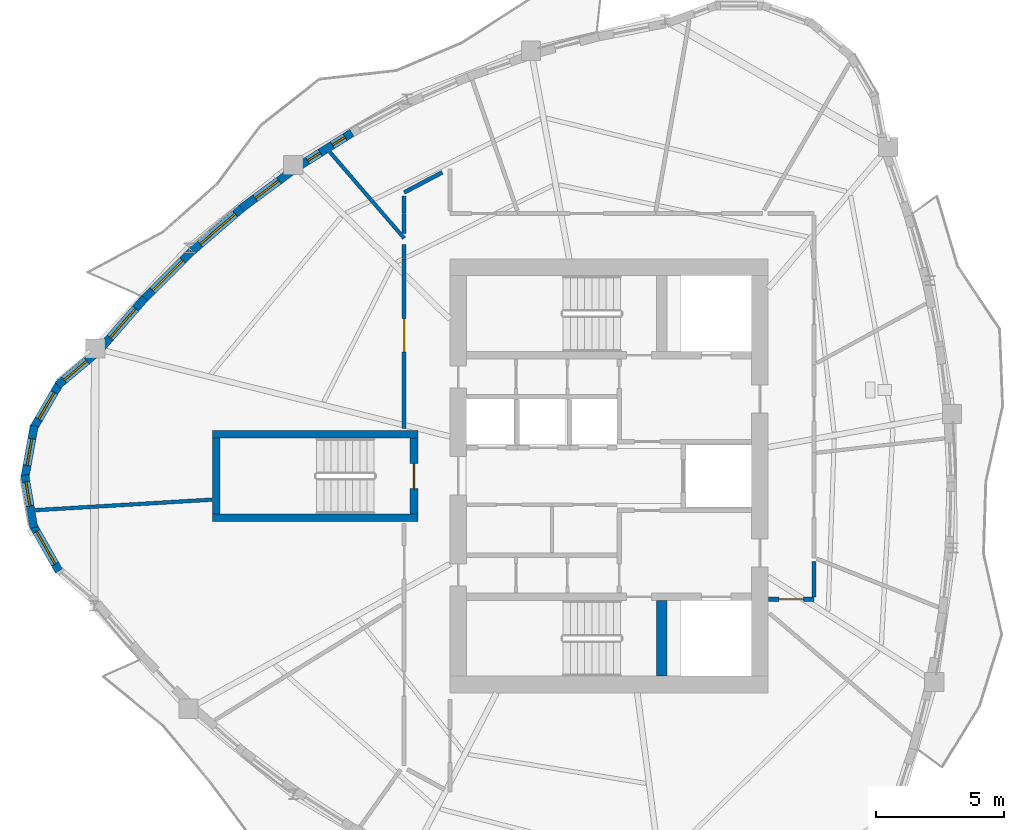
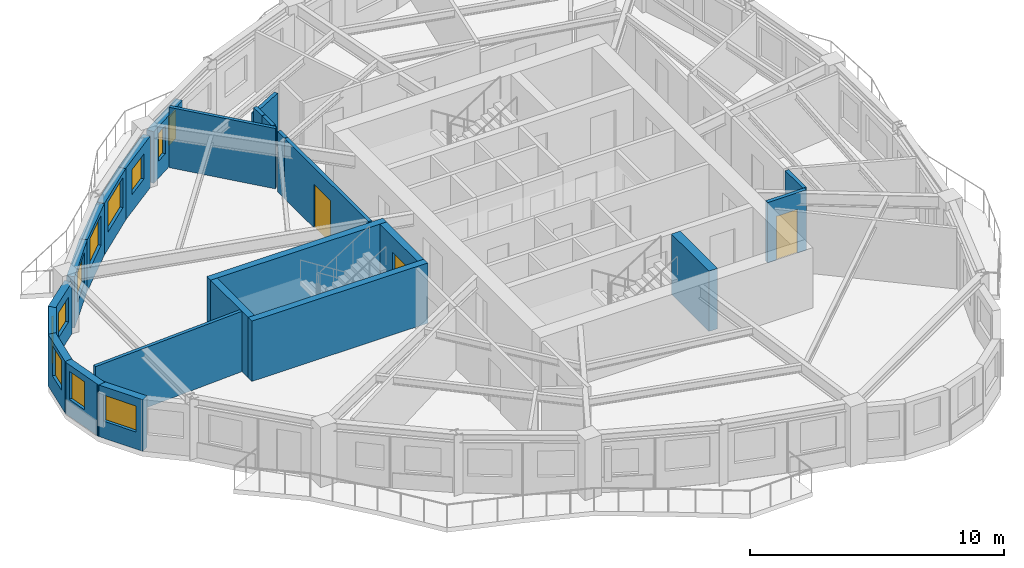
# One storey, part 4 of 12: 24 walls, 11 windows, 3 doors, 14 openings.
"""IFC4 building model written with IfcOpenShell, lengths in metres."""

import ifcopenshell
import ifcopenshell.guid

model = None  # the IFC model being written
_history = None  # IfcOwnerHistory: only IFC2X3 demands one
_inside = {}  # id of a spatial element -> (the spatial element, [elements in it])
_under = {}  # id of a project, library or spatial element -> (it, [spatial elements below it])
_declared = {}  # id of a project -> (the project, [libraries it declares])
_typed = {}  # id of a type object -> (the type object, [elements of that type])
_made_of = {}  # id of a material, layer set ... -> (it, [elements and type objects made of it])


def new_model(schema):
    """Start an empty IFC model of exactly this schema.

    Asked for "IFC4X3", IfcOpenShell would pick the latest addendum, in which some entities
    have other attributes; the version numbers below select the first issue.
    IFC2X3 requires an IfcOwnerHistory on every rooted entity: one is made here for all.
    """
    global model, _history
    if schema == "IFC4X3":
        model = ifcopenshell.file(schema_version=(4, 3, 0, 0))
    else:
        model = ifcopenshell.file(schema=schema)
    _inside.clear()
    _under.clear()
    _declared.clear()
    _typed.clear()
    _made_of.clear()
    _history = None
    if model.schema == "IFC2X3":
        org = make("IfcOrganization", Name="unknown")
        user = make(
            "IfcPersonAndOrganization",
            ThePerson=make("IfcPerson", FamilyName="unknown"),
            TheOrganization=org,
        )
        app = make(
            "IfcApplication",
            ApplicationDeveloper=org,
            Version="unknown",
            ApplicationFullName="unknown",
            ApplicationIdentifier="unknown",
        )
        _history = make(
            "IfcOwnerHistory",
            OwningUser=user,
            OwningApplication=app,
            ChangeAction="ADDED",
            CreationDate=0,
        )
    return model


def make(cls, **values):
    """One entity of the class cls with the attributes given. An attribute that is None is left unset."""
    return model.create_entity(
        cls, **{name: value for name, value in values.items() if value is not None}
    )


def rooted(cls, **values):
    """An entity with a GlobalId (a new one), such as an element, a storey or a relation."""
    return make(cls, GlobalId=ifcopenshell.guid.new(), OwnerHistory=_history, **values)


def si_unit(unit_type, name, prefix=None):
    """IfcSIUnit, for example si_unit("LENGTHUNIT", "METRE", prefix="MILLI")."""
    return make("IfcSIUnit", UnitType=unit_type, Prefix=prefix, Name=name)


def assignment(units):
    """IfcUnitAssignment: the units of a project."""
    return None if units is None else make("IfcUnitAssignment", Units=units)


def point(xyz):
    """IfcCartesianPoint."""
    return None if xyz is None else make("IfcCartesianPoint", Coordinates=xyz)


def direction(xyz):
    """IfcDirection."""
    return None if xyz is None else make("IfcDirection", DirectionRatios=xyz)


def frame(location, z_axis=None, x_axis=None):
    """IfcAxis2Placement3D, a coordinate frame: its origin and axes. An axis left out is left unset."""
    return make(
        "IfcAxis2Placement3D",
        Location=point(location),
        Axis=direction(z_axis),
        RefDirection=direction(x_axis),
    )


def frame_2d(location, x_axis=None):
    """IfcAxis2Placement2D, a coordinate frame in the plane: its origin and x axis."""
    return make(
        "IfcAxis2Placement2D", Location=point(location), RefDirection=direction(x_axis)
    )


def origin():
    """The frame at (0, 0, 0) with its axes left unset."""
    return frame((0.0, 0.0, 0.0))


def place(relative_to, where):
    """IfcLocalPlacement: puts the frame where relative to a parent placement (None: the world)."""
    return make(
        "IfcLocalPlacement", PlacementRelTo=relative_to, RelativePlacement=where
    )


def context(
    kind, dimensions, precision=None, world=None, true_north=None, identifier=None
):
    """IfcGeometricRepresentationContext, for example the 3D "Model" context."""
    return make(
        "IfcGeometricRepresentationContext",
        ContextIdentifier=identifier,
        ContextType=kind,
        CoordinateSpaceDimension=dimensions,
        Precision=precision,
        WorldCoordinateSystem=world,
        TrueNorth=true_north,
    )


def subcontext(parent, identifier, kind, view, scale=None):
    """IfcGeometricRepresentationSubContext, for example "Body" below "Model"."""
    return make(
        "IfcGeometricRepresentationSubContext",
        ContextIdentifier=identifier,
        ContextType=kind,
        ParentContext=parent,
        TargetScale=scale,
        TargetView=view,
    )


def project(units=None, contexts=None):
    """IfcProject with its units and contexts."""
    return rooted(
        "IfcProject",
        Name="project",
        RepresentationContexts=contexts,
        UnitsInContext=assignment(units),
    )


def spatial(cls, under=None, at=None, **own):
    """A site, building, storey or space (cls), placed at a placement, below another one or the project."""
    s = rooted(cls, ObjectPlacement=at, **own)
    if under is not None:
        _under.setdefault(under.id(), (under, []))[1].append(s)
    return s


def profile(cls, at=None, kind="AREA", **sizes):
    """A parametric profile (cls). Its sizes go by their IFC names, for example OverallWidth=200.0."""
    return make(cls, ProfileType=kind, Position=at, **sizes)


def rectangle(**sizes):
    """IfcRectangleProfileDef."""
    return profile("IfcRectangleProfileDef", **sizes)


def extrude(swept, where, along, depth):
    """IfcExtrudedAreaSolid: the profile swept, set in the frame where, extruded along a direction by depth."""
    return make(
        "IfcExtrudedAreaSolid",
        SweptArea=swept,
        Position=where,
        ExtrudedDirection=direction(along),
        Depth=depth,
    )


def shape(context_of_items, identifier, shape_type, items):
    """IfcShapeRepresentation: the items that make up one representation, for example the "Body"."""
    return make(
        "IfcShapeRepresentation",
        ContextOfItems=context_of_items,
        RepresentationIdentifier=identifier,
        RepresentationType=shape_type,
        Items=items,
    )


def source(mapping_origin, context_of_items, identifier, shape_type, items):
    """IfcRepresentationMap: a shape defined once, which mapped items show again and again."""
    return make(
        "IfcRepresentationMap",
        MappingOrigin=mapping_origin,
        MappedRepresentation=shape(context_of_items, identifier, shape_type, items),
    )


def transform(
    local_origin,
    x_axis=None,
    y_axis=None,
    z_axis=None,
    scale=None,
    scale2=None,
    scale3=None,
    uniform=True,
):
    """IfcCartesianTransformationOperator3D, or its non-uniform kind. x_axis, y_axis, z_axis: its Axis1, 2, 3."""
    if uniform:
        return make(
            "IfcCartesianTransformationOperator3D",
            Axis1=direction(x_axis),
            Axis2=direction(y_axis),
            LocalOrigin=point(local_origin),
            Scale=scale,
            Axis3=direction(z_axis),
        )
    return make(
        "IfcCartesianTransformationOperator3DnonUniform",
        Axis1=direction(x_axis),
        Axis2=direction(y_axis),
        LocalOrigin=point(local_origin),
        Scale=scale,
        Axis3=direction(z_axis),
        Scale2=scale2,
        Scale3=scale3,
    )


def mapped(mapping_source, mapping_target):
    """IfcMappedItem: shows the shape of a source again, moved by a transform."""
    return make(
        "IfcMappedItem", MappingSource=mapping_source, MappingTarget=mapping_target
    )


def material(Name=None, Category=None):
    """IfcMaterial."""
    return make("IfcMaterial", Name=Name, Category=Category)


def layer(
    of_material, thickness, ventilated=None, Name=None, Category=None, Priority=None
):
    """IfcMaterialLayer: one layer of a wall or slab, of a material (None: an air gap)."""
    return make(
        "IfcMaterialLayer",
        Material=of_material,
        LayerThickness=thickness,
        IsVentilated=ventilated,
        Name=Name,
        Category=Category,
        Priority=Priority,
    )


def layer_set(layers, Name=None):
    """IfcMaterialLayerSet."""
    return make("IfcMaterialLayerSet", MaterialLayers=layers, LayerSetName=Name)


def made_of(thing, what):
    """Note that an element or type object is made of a material, layer set ...; save() writes the relation."""
    if what is not None:
        _made_of.setdefault(what.id(), (what, []))[1].append(thing)
    return thing


def type_object(cls, material=None, **own):
    """A type object (cls), such as IfcWallType, which elements share."""
    return made_of(rooted(cls, **own), material)


def element(
    cls,
    number,
    at=None,
    inside=None,
    cuts=None,
    type_object=None,
    material=None,
    context=None,
    identifier="Body",
    shape_type=None,
    held_by="IfcProductDefinitionShape",
    body=None,
    shapes=None,
    **own,
):
    """One element of the class cls, such as IfcWall. Its Tag is "e" and its number.

    at: its placement. inside: the storey or other place that contains it. cuts: it is an
    opening in that element (IfcRelVoidsElement). A single representation is given by context,
    identifier, shape_type and body (its items); several are given by shapes. held_by: the class
    of the entity that holds the representations. save() writes the other relations.
    """
    e = rooted(cls, Tag="e%d" % number, ObjectPlacement=at, **own)
    if body is not None:
        shapes = [shape(context, identifier, shape_type, body)]
    if shapes is not None:
        e.Representation = make(held_by, Representations=shapes)
    if inside is not None:
        _inside.setdefault(inside.id(), (inside, []))[1].append(e)
    if cuts is not None:
        rooted(
            "IfcRelVoidsElement", RelatingBuildingElement=cuts, RelatedOpeningElement=e
        )
    if type_object is not None:
        _typed.setdefault(type_object.id(), (type_object, []))[1].append(e)
    return made_of(e, material)


def fill(opening, filler):
    """IfcRelFillsElement: the door or window that sits in an opening."""
    return rooted(
        "IfcRelFillsElement",
        RelatingOpeningElement=opening,
        RelatedBuildingElement=filler,
    )


def aggregate(whole, parts):
    """IfcRelAggregates: a whole, such as a stair, and the parts it consists of."""
    return rooted("IfcRelAggregates", RelatingObject=whole, RelatedObjects=parts)


def save(model, path):
    """Write the relations noted so far, then the file.

    IfcRelAggregates (storeys below a building ...), IfcRelContainedInSpatialStructure (elements
    in a storey), IfcRelDefinesByType, IfcRelAssociatesMaterial and IfcRelDeclares: one each for
    every whole, place, type object, material and project.
    """
    for whole, parts in _under.values():
        aggregate(whole, parts)
    for where, things in _inside.values():
        rooted(
            "IfcRelContainedInSpatialStructure",
            RelatedElements=things,
            RelatingStructure=where,
        )
    for kind, things in _typed.values():
        rooted("IfcRelDefinesByType", RelatedObjects=things, RelatingType=kind)
    for what, things in _made_of.values():
        rooted("IfcRelAssociatesMaterial", RelatedObjects=things, RelatingMaterial=what)
    for by, libraries in _declared.values():
        rooted("IfcRelDeclares", RelatingContext=by, RelatedDefinitions=libraries)
    model.write(path)


model = new_model("IFC4")

# Units and contexts
model_context = context("Model", 3, precision=1e-05, world=origin(), true_north=direction((0.0, 1.0)))
body_context = subcontext(model_context, "Body", "Model", "MODEL_VIEW")
ifc_project = project(units=[si_unit("LENGTHUNIT", "METRE"), si_unit("AREAUNIT", "SQUARE_METRE"), si_unit("VOLUMEUNIT", "CUBIC_METRE"), si_unit("PLANEANGLEUNIT", "RADIAN"), si_unit("MASSUNIT", "GRAM", prefix="KILO")], contexts=[model_context])

# Site, building, storey
site_placement = place(None, origin())
site = spatial("IfcSite", under=ifc_project, at=site_placement, CompositionType="ELEMENT")
building_placement = place(site_placement, origin())
building = spatial("IfcBuilding", under=site, at=building_placement, Name="Qafzar Sky-Pleat Residences", CompositionType="ELEMENT")
storey_placement = place(building_placement, frame((0.0, 0.0, 187.39990234375)))
storey = spatial("IfcBuildingStorey", under=building, at=storey_placement, Name="L56", CompositionType="ELEMENT", Elevation=187.39990234375)

# Wall, opening, door
ifc_material_1 = material(Name="Acoustic gypsum plasterboard partition", Category="gypsum")
ifc_layer_1 = layer(ifc_material_1, 0.159912109375)
ifc_layer_set_1 = layer_set([ifc_layer_1], Name="Acoustic gypsum plasterboard partition")
wall_type_1 = type_object("IfcWallType", Name="PART-COR-160", PredefinedType="PARTITIONING", material=ifc_layer_set_1)
wall_1_placement = place(storey_placement, frame((22.3701171875, 27.85009765625, 0.0), z_axis=(0.0, 0.0, 1.0), x_axis=(0.0, 1.0, 0.0)))
wall_1 = element("IfcWall", 1, at=wall_1_placement, inside=storey, type_object=wall_type_1, Name="L56 Partition Wall PART-L56-PW-001", PredefinedType="PARTITIONING", context=body_context, shape_type="SweptSolid", body=[
    extrude(rectangle(XDim=6.599853515625, YDim=0.159912109375, at=frame_2d((3.2998046875, 0.0))), origin(), (0.0, 0.0, 1.0), 2.900146484375),
])
opening_1_placement = place(wall_1_placement, frame((2.9814453125, 0.0, 0.0)))
opening_1 = element("IfcOpeningElement", 2, at=opening_1_placement, cuts=wall_1, Name="Opening ID-05", PredefinedType="OPENING", context=body_context, shape_type="SweptSolid", body=[
    extrude(rectangle(XDim=1.300048828125, YDim=2.10009765625, at=frame_2d((0.64990234375, 1.050048828125))), frame((0.0, 0.08984375, 0.0), z_axis=(0.0, -1.0, 0.0), x_axis=(1.0, 0.0, 0.0)), (0.0, 0.0, 1.0), 0.179931640625),
])
ifc_material_2 = material(Name="Timber-faced fire door", Category="wood")
door_type_1 = type_object("IfcDoorType", Name="DR-LNG-1300", OperationType="DOUBLE_DOOR_SINGLE_SWING", PredefinedType="DOOR", material=ifc_material_2)
shared_shape_1 = source(origin(), body_context, "Body", "SweptSolid", [
    extrude(rectangle(XDim=1.300048828125, YDim=2.10009765625, at=frame_2d((0.64990234375, 1.050048828125))), frame((0.0, 0.02490234375, 0.0), z_axis=(0.0, -1.0, 0.0), x_axis=(1.0, 0.0, 0.0)), (0.0, 0.0, 1.0), 0.050048828125),
])
door_1_placement = place(opening_1_placement, origin())
door_1 = element("IfcDoor", 3, at=door_1_placement, inside=storey, type_object=door_type_1, Name="L56 Tutorial Huddle Room Door", OperationType="DOUBLE_DOOR_SINGLE_SWING", OverallHeight=2.10009765625, OverallWidth=1.300048828125, PredefinedType="DOOR", context=body_context, shape_type="MappedRepresentation", body=[
    mapped(shared_shape_1, transform((0.0, 0.0, 0.0), x_axis=(1.0, 0.0, 0.0), y_axis=(0.0, 1.0, 0.0), z_axis=(0.0, 0.0, 1.0), scale=1.0)),
])
fill(opening_1, door_1)

wall_2_placement = place(storey_placement, frame((38.330078125, 21.199951171875, 0.0), z_axis=(0.0, 0.0, 1.0), x_axis=(-1.0, 0.0, 0.0)))
wall_2 = element("IfcWall", 4, at=wall_2_placement, inside=storey, type_object=wall_type_1, Name="L56 Partition Wall PART-L56-PW-011", PredefinedType="PARTITIONING", context=body_context, shape_type="SweptSolid", body=[
    extrude(rectangle(XDim=1.77197265625, YDim=0.159912109375, at=frame_2d((0.885986328125, 0.0))), origin(), (0.0, 0.0, 1.0), 2.900146484375),
])
opening_2_placement = place(wall_2_placement, frame((0.409912109375, 0.0, 0.0)))
opening_2 = element("IfcOpeningElement", 5, at=opening_2_placement, cuts=wall_2, Name="Opening ID-06", PredefinedType="OPENING", context=body_context, shape_type="SweptSolid", body=[
    extrude(rectangle(XDim=0.9599609375, YDim=2.10009765625, at=frame_2d((0.47998046875, 1.050048828125))), frame((0.0, 0.08984375, 0.0), z_axis=(0.0, -1.0, 0.0), x_axis=(1.0, 0.0, 0.0)), (0.0, 0.0, 1.0), 0.179931640625),
])
door_type_2 = type_object("IfcDoorType", Name="DR-STD-960", OperationType="NOTDEFINED", PredefinedType="DOOR", material=ifc_material_2)
shared_shape_2 = source(origin(), body_context, "Body", "SweptSolid", [
    extrude(rectangle(XDim=0.9599609375, YDim=2.10009765625, at=frame_2d((0.47998046875, 1.050048828125))), frame((0.0, 0.02490234375, 0.0), z_axis=(0.0, -1.0, 0.0), x_axis=(1.0, 0.0, 0.0)), (0.0, 0.0, 1.0), 0.050048828125),
])
door_2_placement = place(opening_2_placement, origin())
door_2 = element("IfcDoor", 6, at=door_2_placement, inside=storey, type_object=door_type_2, Name="L56 Reading Library Door", OperationType="SINGLE_SWING_RIGHT", OverallHeight=2.10009765625, OverallWidth=0.9599609375, PredefinedType="DOOR", context=body_context, shape_type="MappedRepresentation", body=[
    mapped(shared_shape_2, transform((0.0, 0.0, 0.0), x_axis=(1.0, 0.0, 0.0), y_axis=(0.0, 1.0, 0.0), z_axis=(0.0, 0.0, 1.0), scale=1.0)),
])
fill(opening_2, door_2)

# Walls
wall_3_placement = place(storey_placement, frame((22.3701171875, 37.044921875, 0.0), z_axis=(0.0, 0.0, 1.0), x_axis=(0.884434803915, 0.466663773635, 0.0)))
element("IfcWall", 7, at=wall_3_placement, inside=storey, type_object=wall_type_1, Name="L56 Partition Wall PART-L56-PW-027", PredefinedType="PARTITIONING", context=body_context, shape_type="SweptSolid", body=[
    extrude(rectangle(XDim=1.677734375, YDim=0.159912109375, at=frame_2d((0.8388671875, 0.0))), origin(), (0.0, 0.0, 1.0), 2.508056640625),
])
wall_4_placement = place(storey_placement, frame((38.330078125, 21.2880859375, 0.0), z_axis=(0.0, 0.0, 1.0), x_axis=(0.0, 1.0, 0.0)))
element("IfcWall", 8, at=wall_4_placement, inside=storey, type_object=wall_type_1, Name="L56 Partition Wall PART-L56-PW-028", PredefinedType="PARTITIONING", context=body_context, shape_type="SweptSolid", body=[
    extrude(rectangle(XDim=1.383056640625, YDim=0.159912109375, at=frame_2d((0.69140625, 0.0))), origin(), (0.0, 0.0, 1.0), 2.900146484375),
])
wall_5_placement = place(storey_placement, frame((22.3701171875, 35.447998046875, 0.0), z_axis=(0.0, 0.0, 1.0), x_axis=(0.0, 1.0, 0.0)))
element("IfcWall", 9, at=wall_5_placement, inside=storey, type_object=wall_type_1, Name="L56 Partition Wall PART-L56-PW-029", PredefinedType="PARTITIONING", context=body_context, shape_type="SweptSolid", body=[
    extrude(rectangle(XDim=0.781982421875, YDim=0.159912109375, at=frame_2d((0.39111328125, 0.0))), origin(), (0.0, 0.0, 1.0), 2.900146484375),
])
wall_6_placement = place(storey_placement, frame((22.3701171875, 36.2451171875, 0.0), z_axis=(0.0, 0.0, 1.0), x_axis=(0.0, 1.0, 0.0)))
element("IfcWall", 10, at=wall_6_placement, inside=storey, type_object=wall_type_1, Name="L56 Partition Wall PART-L56-PW-030", PredefinedType="PARTITIONING", context=body_context, shape_type="SweptSolid", body=[
    extrude(rectangle(XDim=0.6591796875, YDim=0.159912109375, at=frame_2d((0.32958984375, 0.0))), origin(), (0.0, 0.0, 1.0), 2.900146484375),
])
wall_7_placement = place(storey_placement, frame((22.3701171875, 34.465087890625, 0.0), z_axis=(0.0, 0.0, 1.0), x_axis=(0.0, 1.0, 0.0)))
element("IfcWall", 11, at=wall_7_placement, inside=storey, type_object=wall_type_1, Name="L56 Partition Wall PART-L56-PW-031", PredefinedType="PARTITIONING", context=body_context, shape_type="SweptSolid", body=[
    extrude(rectangle(XDim=0.5439453125, YDim=0.159912109375, at=frame_2d((0.27197265625, 0.0))), origin(), (0.0, 0.0, 1.0), 2.900146484375),
])
ifc_layer_2 = layer(ifc_material_1, 0.14501953125)
ifc_layer_set_2 = layer_set([ifc_layer_2], Name="Acoustic gypsum plasterboard partition")
wall_type_2 = type_object("IfcWallType", Name="PART-UNIT-145", PredefinedType="PARTITIONING", material=ifc_layer_set_2)
wall_8_placement = place(storey_placement, frame((8.001220703125, 24.66748046875, 0.0), z_axis=(0.0, 0.0, 1.0), x_axis=(0.998224720456, 0.059560116444, 0.0)))
element("IfcWall", 12, at=wall_8_placement, inside=storey, type_object=wall_type_2, Name="L56 Partition Wall PART-L56-PW-015", PredefinedType="PARTITIONING", context=body_context, shape_type="SweptSolid", body=[
    extrude(rectangle(XDim=6.898681640625, YDim=0.14501953125, at=frame_2d((3.44921875, 0.0))), origin(), (0.0, 0.0, 1.0), 2.900146484375),
])
wall_9_placement = place(storey_placement, frame((19.477294921875, 38.61572265625, 0.0), z_axis=(0.0, 0.0, 1.0), x_axis=(0.652826266908, -0.757507666783, 0.0)))
element("IfcWall", 13, at=wall_9_placement, inside=storey, type_object=wall_type_2, Name="L56 Partition Wall PART-L56-PW-021", PredefinedType="PARTITIONING", context=body_context, shape_type="SweptSolid", body=[
    extrude(rectangle(XDim=4.43115234375, YDim=0.14501953125, at=frame_2d((2.215576171875, 0.0))), origin(), (0.0, 0.0, 1.0), 2.900146484375),
])

# Wall, opening, window
ifc_material_3 = material(Name="Precast concrete C40/50 with honed Riyadh limestone", Category="concrete")
ifc_layer_3 = layer(ifc_material_3, 0.320068359375)
ifc_layer_set_3 = layer_set([ifc_layer_3], Name="Precast concrete C40/50 with honed Riyadh limestone")
wall_type_3 = type_object("IfcWallType", Name="WALL-EXT-320", PredefinedType="SOLIDWALL", material=ifc_layer_set_3)
wall_10_placement = place(storey_placement, frame((10.314453125, 30.73828125, 0.0), z_axis=(0.0, 0.0, 1.0), x_axis=(-0.766567176116, -0.642164125829, 0.0)))
wall_10 = element("IfcWall", 14, at=wall_10_placement, inside=storey, type_object=wall_type_3, Name="L56 Limestone Facade Wall 1", PredefinedType="SOLIDWALL", context=body_context, shape_type="SweptSolid", body=[
    extrude(rectangle(XDim=1.878173828125, YDim=0.320068359375, at=frame_2d((0.93896484375, 0.0))), origin(), (0.0, 0.0, 1.0), 2.47998046875),
])
opening_3_placement = place(wall_10_placement, frame((0.39892578125, 0.0, 0.820068359375)))
opening_3 = element("IfcOpeningElement", 15, at=opening_3_placement, cuts=wall_10, Name="Opening WN-16", PredefinedType="OPENING", context=body_context, shape_type="SweptSolid", body=[
    extrude(rectangle(XDim=1.14990234375, YDim=1.199951171875, at=frame_2d((0.574951171875, 0.60009765625))), frame((0.0, 0.169921875, 0.0), z_axis=(0.0, -1.0, 0.0), x_axis=(1.0, 0.0, 0.0)), (0.0, 0.0, 1.0), 0.340087890625),
])
ifc_material_4 = material(Name="Solar-control low-E glass in bronze aluminium frame", Category="glass")
window_type_1 = type_object("IfcWindowType", Name="WIN-16", PartitioningType="SINGLE_PANEL", PredefinedType="WINDOW", material=ifc_material_4)
shared_shape_3 = source(origin(), body_context, "Body", "SweptSolid", [
    extrude(rectangle(XDim=1.14990234375, YDim=1.199951171875, at=frame_2d((0.574951171875, 0.60009765625))), frame((0.0, 0.030029296875, 0.0), z_axis=(0.0, -1.0, 0.0), x_axis=(1.0, 0.0, 0.0)), (0.0, 0.0, 1.0), 0.06005859375),
])
window_1_placement = place(opening_3_placement, origin())
window_1 = element("IfcWindow", 16, at=window_1_placement, inside=storey, type_object=window_type_1, Name="L56 Punched Facade Window 01", OverallHeight=1.199951171875, OverallWidth=1.14990234375, PartitioningType="SINGLE_PANEL", PredefinedType="WINDOW", context=body_context, shape_type="MappedRepresentation", body=[
    mapped(shared_shape_3, transform((0.0, 0.0, 0.0), x_axis=(1.0, 0.0, 0.0), y_axis=(0.0, 1.0, 0.0), z_axis=(0.0, 0.0, 1.0), scale=1.0)),
])
fill(opening_3, window_1)

wall_11_placement = place(storey_placement, frame((8.95849609375, 29.6318359375, 0.0), z_axis=(0.0, 0.0, 1.0), x_axis=(-0.502053430046, -0.864836605018, 0.0)))
wall_11 = element("IfcWall", 17, at=wall_11_placement, inside=storey, type_object=wall_type_3, Name="L56 Limestone Facade Wall 2", PredefinedType="SOLIDWALL", context=body_context, shape_type="SweptSolid", body=[
    extrude(rectangle(XDim=2.080810546875, YDim=0.320068359375, at=frame_2d((1.04052734375, 0.0))), origin(), (0.0, 0.0, 1.0), 2.47998046875),
])
opening_4_placement = place(wall_11_placement, frame((0.4404296875, 0.0, 0.820068359375)))
opening_4 = element("IfcOpeningElement", 18, at=opening_4_placement, cuts=wall_11, Name="Opening WN-05", PredefinedType="OPENING", context=body_context, shape_type="SweptSolid", body=[
    extrude(rectangle(XDim=1.199951171875, YDim=1.449951171875, at=frame_2d((0.60009765625, 0.72509765625))), frame((0.0, 0.169921875, 0.0), z_axis=(0.0, -1.0, 0.0), x_axis=(1.0, 0.0, 0.0)), (0.0, 0.0, 1.0), 0.340087890625),
])
window_type_2 = type_object("IfcWindowType", Name="WIN-05", PartitioningType="SINGLE_PANEL", PredefinedType="WINDOW", material=ifc_material_4)
shared_shape_4 = source(origin(), body_context, "Body", "SweptSolid", [
    extrude(rectangle(XDim=1.199951171875, YDim=1.449951171875, at=frame_2d((0.60009765625, 0.72509765625))), frame((0.0, 0.030029296875, 0.0), z_axis=(0.0, -1.0, 0.0), x_axis=(1.0, 0.0, 0.0)), (0.0, 0.0, 1.0), 0.06005859375),
])
window_2_placement = place(opening_4_placement, origin())
window_2 = element("IfcWindow", 19, at=window_2_placement, inside=storey, type_object=window_type_2, Name="L56 Punched Facade Window 02", OverallHeight=1.449951171875, OverallWidth=1.199951171875, PartitioningType="SINGLE_PANEL", PredefinedType="WINDOW", context=body_context, shape_type="MappedRepresentation", body=[
    mapped(shared_shape_4, transform((0.0, 0.0, 0.0), x_axis=(1.0, 0.0, 0.0), y_axis=(0.0, 1.0, 0.0), z_axis=(0.0, 0.0, 1.0), scale=1.0)),
])
fill(opening_4, window_2)

wall_12_placement = place(storey_placement, frame((7.95849609375, 27.954345703125, 0.0), z_axis=(0.0, 0.0, 1.0), x_axis=(-0.177625721103, -0.984098116654, 0.0)))
wall_12 = element("IfcWall", 20, at=wall_12_placement, inside=storey, type_object=wall_type_3, Name="L56 Limestone Facade Wall 3", PredefinedType="SOLIDWALL", context=body_context, shape_type="SweptSolid", body=[
    extrude(rectangle(XDim=2.0810546875, YDim=0.320068359375, at=frame_2d((1.04052734375, 0.0))), origin(), (0.0, 0.0, 1.0), 2.47998046875),
])
opening_5_placement = place(wall_12_placement, frame((0.515380859375, 0.0, 0.820068359375)))
opening_5 = element("IfcOpeningElement", 21, at=opening_5_placement, cuts=wall_12, Name="Opening WN-06", PredefinedType="OPENING", context=body_context, shape_type="SweptSolid", body=[
    extrude(rectangle(XDim=1.050048828125, YDim=1.449951171875, at=frame_2d((0.52490234375, 0.72509765625))), frame((0.0, 0.169921875, 0.0), z_axis=(0.0, -1.0, 0.0), x_axis=(1.0, 0.0, 0.0)), (0.0, 0.0, 1.0), 0.340087890625),
])
window_type_3 = type_object("IfcWindowType", Name="WIN-06", PartitioningType="SINGLE_PANEL", PredefinedType="WINDOW", material=ifc_material_4)
shared_shape_5 = source(origin(), body_context, "Body", "SweptSolid", [
    extrude(rectangle(XDim=1.050048828125, YDim=1.449951171875, at=frame_2d((0.52490234375, 0.72509765625))), frame((0.0, 0.030029296875, 0.0), z_axis=(0.0, -1.0, 0.0), x_axis=(1.0, 0.0, 0.0)), (0.0, 0.0, 1.0), 0.06005859375),
])
window_3_placement = place(opening_5_placement, origin())
window_3 = element("IfcWindow", 22, at=window_3_placement, inside=storey, type_object=window_type_3, Name="L56 Punched Facade Window 03", OverallHeight=1.449951171875, OverallWidth=1.050048828125, PartitioningType="SINGLE_PANEL", PredefinedType="WINDOW", context=body_context, shape_type="MappedRepresentation", body=[
    mapped(shared_shape_5, transform((0.0, 0.0, 0.0), x_axis=(1.0, 0.0, 0.0), y_axis=(0.0, 1.0, 0.0), z_axis=(0.0, 0.0, 1.0), scale=1.0)),
])
fill(opening_5, window_3)

wall_13_placement = place(storey_placement, frame((7.589599609375, 26.03662109375, 0.0), z_axis=(0.0, 0.0, 1.0), x_axis=(0.167993405511, -0.985788119073, 0.0)))
wall_13 = element("IfcWall", 23, at=wall_13_placement, inside=storey, type_object=wall_type_3, Name="L56 Limestone Facade Wall 4", PredefinedType="SOLIDWALL", context=body_context, shape_type="SweptSolid", body=[
    extrude(rectangle(XDim=2.0810546875, YDim=0.320068359375, at=frame_2d((1.04052734375, 0.0))), origin(), (0.0, 0.0, 1.0), 2.47998046875),
])
opening_6_placement = place(wall_13_placement, frame((0.27294921875, 0.0, 0.820068359375)))
opening_6 = element("IfcOpeningElement", 24, at=opening_6_placement, cuts=wall_13, Name="Opening WN-12", PredefinedType="OPENING", context=body_context, shape_type="SweptSolid", body=[
    extrude(rectangle(XDim=0.949951171875, YDim=1.35009765625, at=frame_2d((0.47509765625, 0.675048828125))), frame((0.0, 0.169921875, 0.0), z_axis=(0.0, -1.0, 0.0), x_axis=(1.0, 0.0, 0.0)), (0.0, 0.0, 1.0), 0.340087890625),
])
window_type_4 = type_object("IfcWindowType", Name="WIN-12", PartitioningType="SINGLE_PANEL", PredefinedType="WINDOW", material=ifc_material_4)
shared_shape_6 = source(origin(), body_context, "Body", "SweptSolid", [
    extrude(rectangle(XDim=0.949951171875, YDim=1.35009765625, at=frame_2d((0.47509765625, 0.675048828125))), frame((0.0, 0.030029296875, 0.0), z_axis=(0.0, -1.0, 0.0), x_axis=(1.0, 0.0, 0.0)), (0.0, 0.0, 1.0), 0.06005859375),
])
window_4_placement = place(opening_6_placement, origin())
window_4 = element("IfcWindow", 25, at=window_4_placement, inside=storey, type_object=window_type_4, Name="L56 Punched Facade Window 04", OverallHeight=1.35009765625, OverallWidth=0.949951171875, PartitioningType="SINGLE_PANEL", PredefinedType="WINDOW", context=body_context, shape_type="MappedRepresentation", body=[
    mapped(shared_shape_6, transform((0.0, 0.0, 0.0), x_axis=(1.0, 0.0, 0.0), y_axis=(0.0, 1.0, 0.0), z_axis=(0.0, 0.0, 1.0), scale=1.0)),
])
fill(opening_6, window_4)

wall_14_placement = place(storey_placement, frame((7.8955078125, 24.107666015625, 0.0), z_axis=(0.0, 0.0, 1.0), x_axis=(0.493660675866, -0.869654607936, 0.0)))
wall_14 = element("IfcWall", 26, at=wall_14_placement, inside=storey, type_object=wall_type_3, Name="L56 Limestone Facade Wall 5", PredefinedType="SOLIDWALL", context=body_context, shape_type="SweptSolid", body=[
    extrude(rectangle(XDim=2.0810546875, YDim=0.320068359375, at=frame_2d((1.04052734375, 0.0))), origin(), (0.0, 0.0, 1.0), 2.47998046875),
])
opening_7_placement = place(wall_14_placement, frame((0.3154296875, 0.0, 0.820068359375)))
opening_7 = element("IfcOpeningElement", 27, at=opening_7_placement, cuts=wall_14, Name="Opening WN-15", PredefinedType="OPENING", context=body_context, shape_type="SweptSolid", body=[
    extrude(rectangle(XDim=1.449951171875, YDim=1.25, at=frame_2d((0.72509765625, 0.625))), frame((0.0, 0.169921875, 0.0), z_axis=(0.0, -1.0, 0.0), x_axis=(1.0, 0.0, 0.0)), (0.0, 0.0, 1.0), 0.340087890625),
])
window_type_5 = type_object("IfcWindowType", Name="WIN-15", PartitioningType="SINGLE_PANEL", PredefinedType="WINDOW", material=ifc_material_4)
shared_shape_7 = source(origin(), body_context, "Body", "SweptSolid", [
    extrude(rectangle(XDim=1.449951171875, YDim=1.25, at=frame_2d((0.72509765625, 0.625))), frame((0.0, 0.030029296875, 0.0), z_axis=(0.0, -1.0, 0.0), x_axis=(1.0, 0.0, 0.0)), (0.0, 0.0, 1.0), 0.06005859375),
])
window_5_placement = place(opening_7_placement, origin())
window_5 = element("IfcWindow", 28, at=window_5_placement, inside=storey, type_object=window_type_5, Name="L56 Punched Facade Window 05", OverallHeight=1.25, OverallWidth=1.449951171875, PartitioningType="SINGLE_PANEL", PredefinedType="WINDOW", context=body_context, shape_type="MappedRepresentation", body=[
    mapped(shared_shape_7, transform((0.0, 0.0, 0.0), x_axis=(1.0, 0.0, 0.0), y_axis=(0.0, 1.0, 0.0), z_axis=(0.0, 0.0, 1.0), scale=1.0)),
])
fill(opening_7, window_5)

# Wall, openings, windows
wall_15_placement = place(storey_placement, frame((20.333984375, 39.365966796875, 0.0), z_axis=(0.0, 0.0, 1.0), x_axis=(-0.84643016858, -0.532499736825, 0.0)))
wall_15 = element("IfcWall", 29, at=wall_15_placement, inside=storey, type_object=wall_type_3, Name="L56 Limestone Facade Wall 44", PredefinedType="SOLIDWALL", context=body_context, shape_type="SweptSolid", body=[
    extrude(rectangle(XDim=2.437255859375, YDim=0.320068359375, at=frame_2d((1.21875, 0.0))), origin(), (0.0, 0.0, 1.0), 2.47998046875),
])
opening_8_placement = place(wall_15_placement, frame((0.314697265625, 0.0, 0.820068359375)))
opening_8 = element("IfcOpeningElement", 30, at=opening_8_placement, cuts=wall_15, Name="Opening WN-17", PredefinedType="OPENING", context=body_context, shape_type="SweptSolid", body=[
    extrude(rectangle(XDim=0.580078125, YDim=1.35009765625, at=frame_2d((0.2900390625, 0.675048828125))), frame((0.0, 0.169921875, 0.0), z_axis=(0.0, -1.0, 0.0), x_axis=(1.0, 0.0, 0.0)), (0.0, 0.0, 1.0), 0.340087890625),
])
opening_9_placement = place(wall_15_placement, frame((1.45849609375, 0.0, 0.820068359375)))
opening_9 = element("IfcOpeningElement", 31, at=opening_9_placement, cuts=wall_15, Name="Opening WN-17", PredefinedType="OPENING", context=body_context, shape_type="SweptSolid", body=[
    extrude(rectangle(XDim=0.580078125, YDim=1.35009765625, at=frame_2d((0.2900390625, 0.675048828125))), frame((0.0, 0.169921875, 0.0), z_axis=(0.0, -1.0, 0.0), x_axis=(1.0, 0.0, 0.0)), (0.0, 0.0, 1.0), 0.340087890625),
])
window_type_6 = type_object("IfcWindowType", Name="WIN-17", PartitioningType="SINGLE_PANEL", PredefinedType="WINDOW", material=ifc_material_4)
shared_shape_8 = source(origin(), body_context, "Body", "SweptSolid", [
    extrude(rectangle(XDim=0.580078125, YDim=1.35009765625, at=frame_2d((0.2900390625, 0.675048828125))), frame((0.0, 0.030029296875, 0.0), z_axis=(0.0, -1.0, 0.0), x_axis=(1.0, 0.0, 0.0)), (0.0, 0.0, 1.0), 0.06005859375),
])
window_6_placement = place(opening_8_placement, origin())
window_6 = element("IfcWindow", 32, at=window_6_placement, inside=storey, type_object=window_type_6, Name="L56 Punched Facade Window 44", OverallHeight=1.35009765625, OverallWidth=0.580078125, PartitioningType="SINGLE_PANEL", PredefinedType="WINDOW", context=body_context, shape_type="MappedRepresentation", body=[
    mapped(shared_shape_8, transform((0.0, 0.0, 0.0), x_axis=(1.0, 0.0, 0.0), y_axis=(0.0, 1.0, 0.0), z_axis=(0.0, 0.0, 1.0), scale=1.0)),
])
fill(opening_8, window_6)
window_7_placement = place(opening_9_placement, origin())
window_7 = element("IfcWindow", 33, at=window_7_placement, inside=storey, type_object=window_type_6, Name="L56 Punched Facade Window 44-2", OverallHeight=1.35009765625, OverallWidth=0.580078125, PartitioningType="SINGLE_PANEL", PredefinedType="WINDOW", context=body_context, shape_type="MappedRepresentation", body=[
    mapped(shared_shape_8, transform((0.0, 0.0, 0.0), x_axis=(1.0, 0.0, 0.0), y_axis=(0.0, 1.0, 0.0), z_axis=(0.0, 0.0, 1.0), scale=1.0)),
])
fill(opening_9, window_7)

# Wall, opening, window
wall_16_placement = place(storey_placement, frame((18.0087890625, 37.888916015625, 0.0), z_axis=(0.0, 0.0, 1.0), x_axis=(-0.803878079338, -0.594794110226, 0.0)))
wall_16 = element("IfcWall", 34, at=wall_16_placement, inside=storey, type_object=wall_type_3, Name="L56 Limestone Facade Wall 45", PredefinedType="SOLIDWALL", context=body_context, shape_type="SweptSolid", body=[
    extrude(rectangle(XDim=2.4521484375, YDim=0.320068359375, at=frame_2d((1.22607421875, 0.0))), origin(), (0.0, 0.0, 1.0), 2.47998046875),
])
opening_10_placement = place(wall_16_placement, frame((0.64599609375, 0.0, 0.820068359375)))
opening_10 = element("IfcOpeningElement", 35, at=opening_10_placement, cuts=wall_16, Name="Opening WN-16", PredefinedType="OPENING", context=body_context, shape_type="SweptSolid", body=[
    extrude(rectangle(XDim=1.14990234375, YDim=1.199951171875, at=frame_2d((0.574951171875, 0.60009765625))), frame((0.0, 0.169921875, 0.0), z_axis=(0.0, -1.0, 0.0), x_axis=(1.0, 0.0, 0.0)), (0.0, 0.0, 1.0), 0.340087890625),
])
window_8_placement = place(opening_10_placement, origin())
window_8 = element("IfcWindow", 36, at=window_8_placement, inside=storey, type_object=window_type_1, Name="L56 Punched Facade Window 45", OverallHeight=1.199951171875, OverallWidth=1.14990234375, PartitioningType="SINGLE_PANEL", PredefinedType="WINDOW", context=body_context, shape_type="MappedRepresentation", body=[
    mapped(shared_shape_3, transform((0.0, 0.0, 0.0), x_axis=(1.0, 0.0, 0.0), y_axis=(0.0, 1.0, 0.0), z_axis=(0.0, 0.0, 1.0), scale=1.0)),
])
fill(opening_10, window_8)

wall_17_placement = place(storey_placement, frame((16.106201171875, 36.485107421875, 0.0), z_axis=(0.0, 0.0, 1.0), x_axis=(-0.757462274619, -0.652878934052, 0.0)))
wall_17 = element("IfcWall", 37, at=wall_17_placement, inside=storey, type_object=wall_type_3, Name="L56 Limestone Facade Wall 46", PredefinedType="SOLIDWALL", context=body_context, shape_type="SweptSolid", body=[
    extrude(rectangle(XDim=2.626220703125, YDim=0.320068359375, at=frame_2d((1.31298828125, 0.0))), origin(), (0.0, 0.0, 1.0), 2.47998046875),
])
opening_11_placement = place(wall_17_placement, frame((0.423095703125, 0.0, 0.820068359375)))
opening_11 = element("IfcOpeningElement", 38, at=opening_11_placement, cuts=wall_17, Name="Opening WN-01", PredefinedType="OPENING", context=body_context, shape_type="SweptSolid", body=[
    extrude(rectangle(XDim=1.800048828125, YDim=1.449951171875, at=frame_2d((0.89990234375, 0.72509765625))), frame((0.0, 0.169921875, 0.0), z_axis=(0.0, -1.0, 0.0), x_axis=(1.0, 0.0, 0.0)), (0.0, 0.0, 1.0), 0.340087890625),
])
window_type_7 = type_object("IfcWindowType", Name="WIN-01", PartitioningType="DOUBLE_PANEL_VERTICAL", PredefinedType="WINDOW", material=ifc_material_4)
shared_shape_9 = source(origin(), body_context, "Body", "SweptSolid", [
    extrude(rectangle(XDim=1.800048828125, YDim=1.449951171875, at=frame_2d((0.89990234375, 0.72509765625))), frame((0.0, 0.030029296875, 0.0), z_axis=(0.0, -1.0, 0.0), x_axis=(1.0, 0.0, 0.0)), (0.0, 0.0, 1.0), 0.06005859375),
])
window_9_placement = place(opening_11_placement, origin())
window_9 = element("IfcWindow", 39, at=window_9_placement, inside=storey, type_object=window_type_7, Name="L56 Punched Facade Window 46", OverallHeight=1.449951171875, OverallWidth=1.800048828125, PartitioningType="SINGLE_PANEL", PredefinedType="WINDOW", context=body_context, shape_type="MappedRepresentation", body=[
    mapped(shared_shape_9, transform((0.0, 0.0, 0.0), x_axis=(1.0, 0.0, 0.0), y_axis=(0.0, 1.0, 0.0), z_axis=(0.0, 0.0, 1.0), scale=1.0)),
])
fill(opening_11, window_9)

wall_18_placement = place(storey_placement, frame((14.09619140625, 34.751220703125, 0.0), z_axis=(0.0, 0.0, 1.0), x_axis=(-0.708385947823, -0.705825296321, 0.0)))
wall_18 = element("IfcWall", 40, at=wall_18_placement, inside=storey, type_object=wall_type_3, Name="L56 Limestone Facade Wall 47", PredefinedType="SOLIDWALL", context=body_context, shape_type="SweptSolid", body=[
    extrude(rectangle(XDim=2.669677734375, YDim=0.320068359375, at=frame_2d((1.3349609375, 0.0))), origin(), (0.0, 0.0, 1.0), 2.47998046875),
])
opening_12_placement = place(wall_18_placement, frame((0.499755859375, 0.0, 0.820068359375)))
opening_12 = element("IfcOpeningElement", 41, at=opening_12_placement, cuts=wall_18, Name="Opening WN-02", PredefinedType="OPENING", context=body_context, shape_type="SweptSolid", body=[
    extrude(rectangle(XDim=1.64990234375, YDim=1.449951171875, at=frame_2d((0.824951171875, 0.72509765625))), frame((0.0, 0.169921875, 0.0), z_axis=(0.0, -1.0, 0.0), x_axis=(1.0, 0.0, 0.0)), (0.0, 0.0, 1.0), 0.340087890625),
])
window_type_8 = type_object("IfcWindowType", Name="WIN-02", PartitioningType="DOUBLE_PANEL_VERTICAL", PredefinedType="WINDOW", material=ifc_material_4)
shared_shape_10 = source(origin(), body_context, "Body", "SweptSolid", [
    extrude(rectangle(XDim=1.64990234375, YDim=1.449951171875, at=frame_2d((0.824951171875, 0.72509765625))), frame((0.0, 0.030029296875, 0.0), z_axis=(0.0, -1.0, 0.0), x_axis=(1.0, 0.0, 0.0)), (0.0, 0.0, 1.0), 0.06005859375),
])
window_10_placement = place(opening_12_placement, origin())
window_10 = element("IfcWindow", 42, at=window_10_placement, inside=storey, type_object=window_type_8, Name="L56 Punched Facade Window 47", OverallHeight=1.449951171875, OverallWidth=1.64990234375, PartitioningType="SINGLE_PANEL", PredefinedType="WINDOW", context=body_context, shape_type="MappedRepresentation", body=[
    mapped(shared_shape_10, transform((0.0, 0.0, 0.0), x_axis=(1.0, 0.0, 0.0), y_axis=(0.0, 1.0, 0.0), z_axis=(0.0, 0.0, 1.0), scale=1.0)),
])
fill(opening_12, window_10)

wall_19_placement = place(storey_placement, frame((12.2646484375, 32.9306640625, 0.0), z_axis=(0.0, 0.0, 1.0), x_axis=(-0.65762697751, -0.753343718664, 0.0)))
wall_19 = element("IfcWall", 43, at=wall_19_placement, inside=storey, type_object=wall_type_3, Name="L56 Limestone Facade Wall 48", PredefinedType="SOLIDWALL", context=body_context, shape_type="SweptSolid", body=[
    extrude(rectangle(XDim=2.581298828125, YDim=0.320068359375, at=frame_2d((1.29052734375, 0.0))), origin(), (0.0, 0.0, 1.0), 2.47998046875),
])
opening_13_placement = place(wall_19_placement, frame((0.545654296875, 0.0, 0.820068359375)))
opening_13 = element("IfcOpeningElement", 44, at=opening_13_placement, cuts=wall_19, Name="Opening WN-03", PredefinedType="OPENING", context=body_context, shape_type="SweptSolid", body=[
    extrude(rectangle(XDim=1.5, YDim=1.449951171875, at=frame_2d((0.75, 0.72509765625))), frame((0.0, 0.169921875, 0.0), z_axis=(0.0, -1.0, 0.0), x_axis=(1.0, 0.0, 0.0)), (0.0, 0.0, 1.0), 0.340087890625),
])
window_type_9 = type_object("IfcWindowType", Name="WIN-03", PartitioningType="DOUBLE_PANEL_VERTICAL", PredefinedType="WINDOW", material=ifc_material_4)
shared_shape_11 = source(origin(), body_context, "Body", "SweptSolid", [
    extrude(rectangle(XDim=1.5, YDim=1.449951171875, at=frame_2d((0.75, 0.72509765625))), frame((0.0, 0.030029296875, 0.0), z_axis=(0.0, -1.0, 0.0), x_axis=(1.0, 0.0, 0.0)), (0.0, 0.0, 1.0), 0.06005859375),
])
window_11_placement = place(opening_13_placement, origin())
window_11 = element("IfcWindow", 45, at=window_11_placement, inside=storey, type_object=window_type_9, Name="L56 Punched Facade Window 48", OverallHeight=1.449951171875, OverallWidth=1.5, PartitioningType="SINGLE_PANEL", PredefinedType="WINDOW", context=body_context, shape_type="MappedRepresentation", body=[
    mapped(shared_shape_11, transform((0.0, 0.0, 0.0), x_axis=(1.0, 0.0, 0.0), y_axis=(0.0, 1.0, 0.0), z_axis=(0.0, 0.0, 1.0), scale=1.0)),
])
fill(opening_13, window_11)

# Walls
ifc_material_5 = material(Name="Concrete C60/75", Category="concrete")
ifc_layer_4 = layer(ifc_material_5, 0.300048828125)
ifc_layer_set_4 = layer_set([ifc_layer_4], Name="Concrete C60/75")
wall_type_4 = type_object("IfcWallType", Name="WALL-SHEAR-300", PredefinedType="SHEAR", material=ifc_layer_set_4)
for number, where, z_axis, x_axis, name in (
    (46, (14.89990234375, 24.375, 0.0), (0.0, 0.0, 1.0), (1.0, 0.0, 0.0), "L56 ST3 wall S"),
    (47, (22.89990234375, 27.625, 0.0), (0.0, 0.0, 1.0), (-1.0, 0.0, 0.0), "L56 ST3 wall N"),
):
    element("IfcWall", number, at=place(storey_placement, frame(where, z_axis=z_axis, x_axis=x_axis)), inside=storey, type_object=wall_type_4, Name=name, PredefinedType="SHEAR", context=body_context, shape_type="SweptSolid", body=[
        extrude(rectangle(XDim=8.0, YDim=0.300048828125, at=frame_2d((4.0, 0.0))), origin(), (0.0, 0.0, 1.0), 2.900146484375),
    ])
wall_20_placement = place(storey_placement, frame((15.050048828125, 27.47509765625, 0.0), z_axis=(0.0, 0.0, 1.0), x_axis=(0.0, -1.0, 0.0)))
element("IfcWall", 48, at=wall_20_placement, inside=storey, type_object=wall_type_4, Name="L56 ST3 wall W", PredefinedType="SHEAR", context=body_context, shape_type="SweptSolid", body=[
    extrude(rectangle(XDim=2.9501953125, YDim=0.300048828125, at=frame_2d((1.47509765625, 0.0))), origin(), (0.0, 0.0, 1.0), 2.900146484375),
])

# Wall, opening, door
wall_21_placement = place(storey_placement, frame((22.75, 24.52490234375, 0.0), z_axis=(0.0, 0.0, 1.0), x_axis=(0.0, 1.0, 0.0)))
wall_21 = element("IfcWall", 49, at=wall_21_placement, inside=storey, type_object=wall_type_4, Name="L56 ST3 wall E", PredefinedType="SHEAR", context=body_context, shape_type="SweptSolid", body=[
    extrude(rectangle(XDim=2.9501953125, YDim=0.300048828125, at=frame_2d((1.47509765625, 0.0))), origin(), (0.0, 0.0, 1.0), 2.900146484375),
])
opening_14_placement = place(wall_21_placement, frame((0.985107421875, 0.0, 0.0)))
opening_14 = element("IfcOpeningElement", 50, at=opening_14_placement, cuts=wall_21, Name="Opening ID-01", PredefinedType="OPENING", context=body_context, shape_type="SweptSolid", body=[
    extrude(rectangle(XDim=0.97998046875, YDim=2.14990234375, at=frame_2d((0.489990234375, 1.074951171875))), frame((0.0, 0.16015625, 0.0), z_axis=(0.0, -1.0, 0.0), x_axis=(1.0, 0.0, 0.0)), (0.0, 0.0, 1.0), 0.320068359375),
])
door_type_3 = type_object("IfcDoorType", Name="DR-STAIR-980", OperationType="NOTDEFINED", PredefinedType="DOOR", material=ifc_material_2)
shared_shape_12 = source(origin(), body_context, "Body", "SweptSolid", [
    extrude(rectangle(XDim=0.97998046875, YDim=2.14990234375, at=frame_2d((0.489990234375, 1.074951171875))), frame((0.0, 0.02490234375, 0.0), z_axis=(0.0, -1.0, 0.0), x_axis=(1.0, 0.0, 0.0)), (0.0, 0.0, 1.0), 0.050048828125),
])
door_3_placement = place(opening_14_placement, origin())
door_3 = element("IfcDoor", 51, at=door_3_placement, inside=storey, type_object=door_type_3, Name="L56 Stair ST3 Fire Door", OperationType="SINGLE_SWING_LEFT", OverallHeight=2.14990234375, OverallWidth=0.97998046875, PredefinedType="DOOR", context=body_context, shape_type="MappedRepresentation", body=[
    mapped(shared_shape_12, transform((0.0, 0.0, 0.0), x_axis=(1.0, 0.0, 0.0), y_axis=(0.0, 1.0, 0.0), z_axis=(0.0, 0.0, 1.0), scale=1.0)),
])
fill(opening_14, door_3)

# Wall
ifc_layer_5 = layer(ifc_material_5, 0.39990234375)
ifc_layer_set_5 = layer_set([ifc_layer_5], Name="Concrete C60/75")
wall_type_5 = type_object("IfcWallType", Name="WALL-SHEAR-400", PredefinedType="SHEAR", material=ifc_layer_set_5)
wall_22_placement = place(storey_placement, frame((32.39990234375, 18.199951171875, 0.0), z_axis=(0.0, 0.0, 1.0), x_axis=(0.0, 1.0, 0.0)))
element("IfcWall", 52, at=wall_22_placement, inside=storey, type_object=wall_type_5, Name="L56 Stair ST1 East Dividing Wall", PredefinedType="SHEAR", context=body_context, shape_type="SweptSolid", body=[
    extrude(rectangle(XDim=2.949951171875, YDim=0.39990234375, at=frame_2d((1.47509765625, 0.0))), origin(), (0.0, 0.0, 1.0), 2.900146484375),
])

save(model, "model.ifc")
